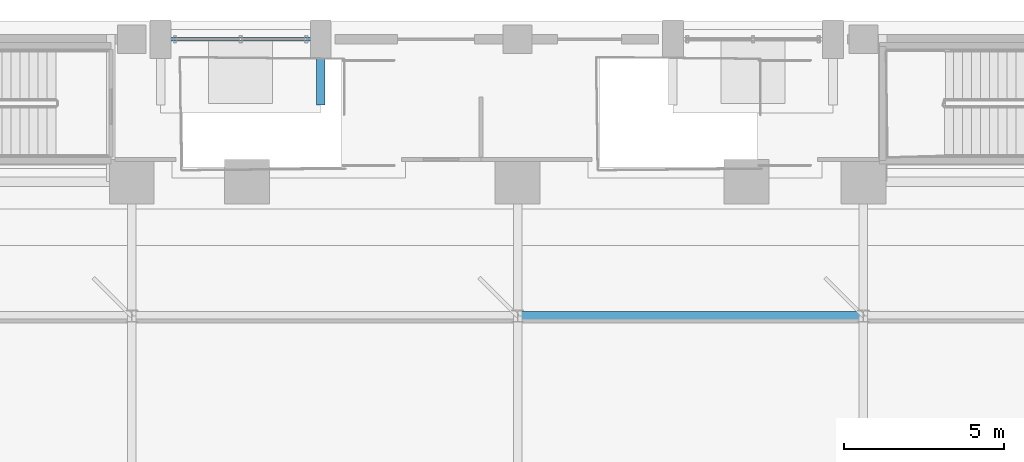
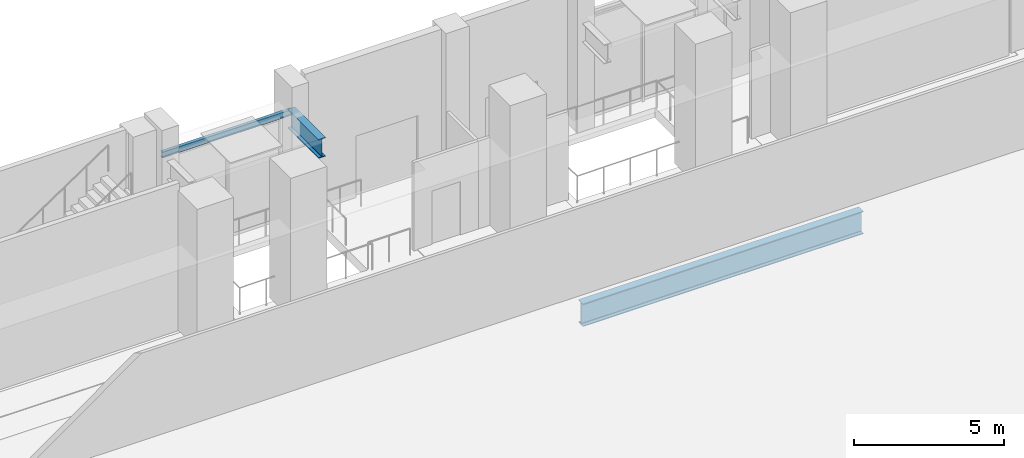
# One storey, part 12 of 36: 3 beams.
"""IFC4 building model written with IfcOpenShell, lengths in metres."""

from ifc_helpers import new_model, si_unit, direction, frame, origin, origin_2d, place, context, subcontext, project, spatial, i_section, extrude, material, material_profile, profile_set, type_object, element, save


model = new_model("IFC4")

# Units and contexts
model_context = context("Model", 3, precision=1e-05, world=origin(), true_north=direction((0.0, 1.0)))
body_context = subcontext(model_context, "Body", "Model", "MODEL_VIEW")
ifc_project = project(units=[si_unit("LENGTHUNIT", "METRE"), si_unit("AREAUNIT", "SQUARE_METRE"), si_unit("VOLUMEUNIT", "CUBIC_METRE"), si_unit("PLANEANGLEUNIT", "RADIAN"), si_unit("MASSUNIT", "GRAM", prefix="KILO")], contexts=[model_context])

# Site, building, storey
site_placement = place(None, origin())
site = spatial("IfcSite", under=ifc_project, at=site_placement, CompositionType="ELEMENT")
building_placement = place(site_placement, origin())
building = spatial("IfcBuilding", under=site, at=building_placement, Name="Ndaravel Arena Tower", CompositionType="ELEMENT")
storey_placement = place(building_placement, origin())
storey = spatial("IfcBuildingStorey", under=building, at=storey_placement, Name="L00", CompositionType="ELEMENT", Elevation=0.0)

# Beams
ifc_material_1 = material(Name="Steel S355", Category="steel")
ifc_material_profile_1 = material_profile(ifc_material_1, i_section(OverallWidth=0.1201171875, OverallDepth=0.239990234375, WebThickness=0.006103515625, FlangeThickness=0.009765625, FilletRadius=0.014892578125, at=origin_2d()), Name="IPE 240")
ifc_profile_set_1 = profile_set([ifc_material_profile_1], Name="Steel S355")
beam_type_1 = type_object("IfcBeamType", Name="BM-LINTEL-IPE240", PredefinedType="LINTEL", material=ifc_profile_set_1)
beam_1_placement = place(storey_placement, frame((31.5, 47.449951171875, 4.260009765625), z_axis=(1.0, 0.0, 0.0), x_axis=(0.0, 1.0, 0.0)))
element("IfcBeam", 1, at=beam_1_placement, inside=storey, type_object=beam_type_1, Name="Portal Lintel Beam LN-05", PredefinedType="LINTEL", context=body_context, shape_type="SweptSolid", body=[
    extrude(i_section(OverallWidth=0.1201171875, OverallDepth=0.239990234375, WebThickness=0.006103515625, FlangeThickness=0.009765625, FilletRadius=0.014892578125, at=origin_2d()), origin(), (0.0, 0.0, 1.0), 5.0),
])
ifc_material_2 = material(Name="Steel S355", Category="steel")
ifc_material_profile_2 = material_profile(ifc_material_2, i_section(OverallWidth=0.26806640625, OverallDepth=0.769775390625, WebThickness=0.015625, FlangeThickness=0.025390625, FilletRadius=0.0166015625, at=origin_2d()), Name="UB 762x267x197")
ifc_profile_set_2 = profile_set([ifc_material_profile_2], Name="Steel S355")
beam_type_2 = type_object("IfcBeamType", Name="BM-POD-UB762", PredefinedType="BEAM", material=ifc_profile_set_2)
beam_2_placement = place(storey_placement, frame((36.5, 47.449951171875, 4.01513671875), z_axis=(0.0, -1.0, 0.0), x_axis=(1.0, 0.0, 0.0)))
element("IfcBeam", 2, at=beam_2_placement, inside=storey, type_object=beam_type_2, Name="L00 Entrance Canopy Cantilever Arm 05-2", PredefinedType="BEAM", context=body_context, shape_type="SweptSolid", body=[
    extrude(i_section(OverallWidth=0.26806640625, OverallDepth=0.769775390625, WebThickness=0.015625, FlangeThickness=0.025390625, FilletRadius=0.0166015625, at=origin_2d()), origin(), (0.0, 0.0, 1.0), 2.050048828125),
])
ifc_material_3 = material(Name="Steel S355", Category="steel")
ifc_material_profile_3 = material_profile(ifc_material_3, i_section(OverallWidth=0.3076171875, OverallDepth=0.926513671875, WebThickness=0.01953125, FlangeThickness=0.031982421875, FilletRadius=0.01904296875, at=origin_2d()), Name="UB 914x305x289")
ifc_profile_set_3 = profile_set([ifc_material_profile_3], Name="Steel S355")
beam_type_3 = type_object("IfcBeamType", Name="BM-POD-UB914B", PredefinedType="BEAM", material=ifc_profile_set_3)
beam_3_placement = place(storey_placement, frame((42.64990234375, 38.800048828125, -0.86328125), z_axis=(1.0, 0.0, 0.0), x_axis=(0.0, 1.0, 0.0)))
element("IfcBeam", 3, at=beam_3_placement, inside=storey, type_object=beam_type_3, Name="L00 Sub-Court Girder 4.4", PredefinedType="BEAM", context=body_context, shape_type="SweptSolid", body=[
    extrude(i_section(OverallWidth=0.3076171875, OverallDepth=0.926513671875, WebThickness=0.01953125, FlangeThickness=0.031982421875, FilletRadius=0.01904296875, at=origin_2d()), origin(), (0.0, 0.0, 1.0), 10.800048828125),
])

save(model, "model.ifc")
